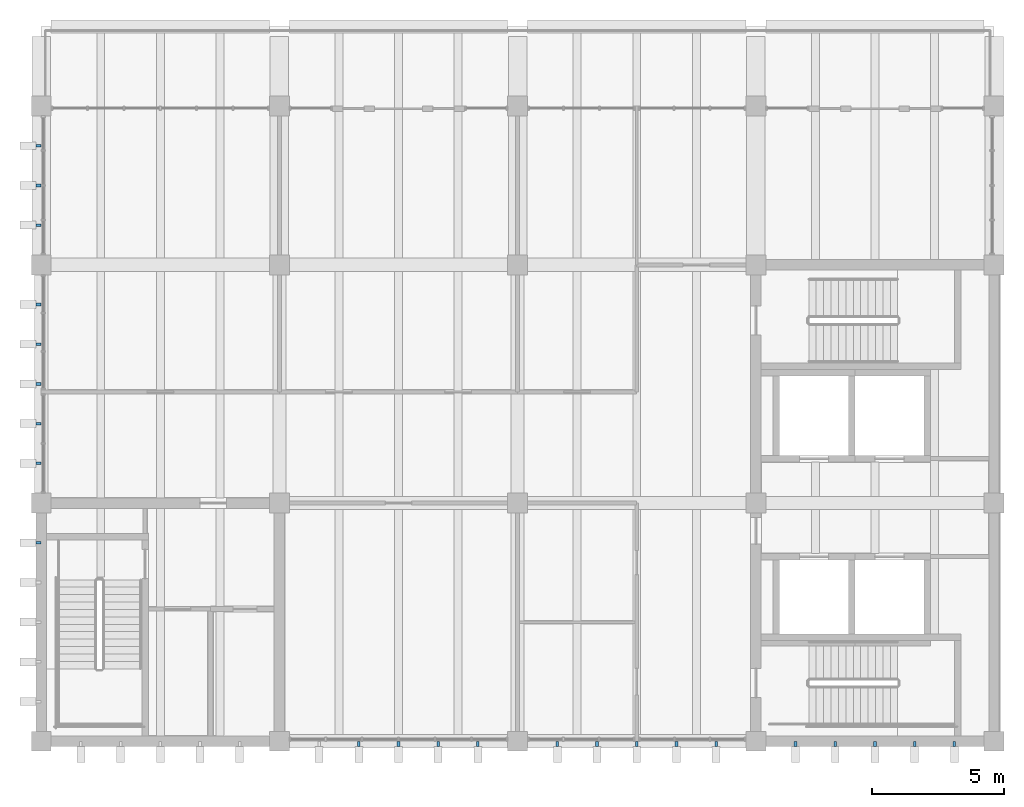
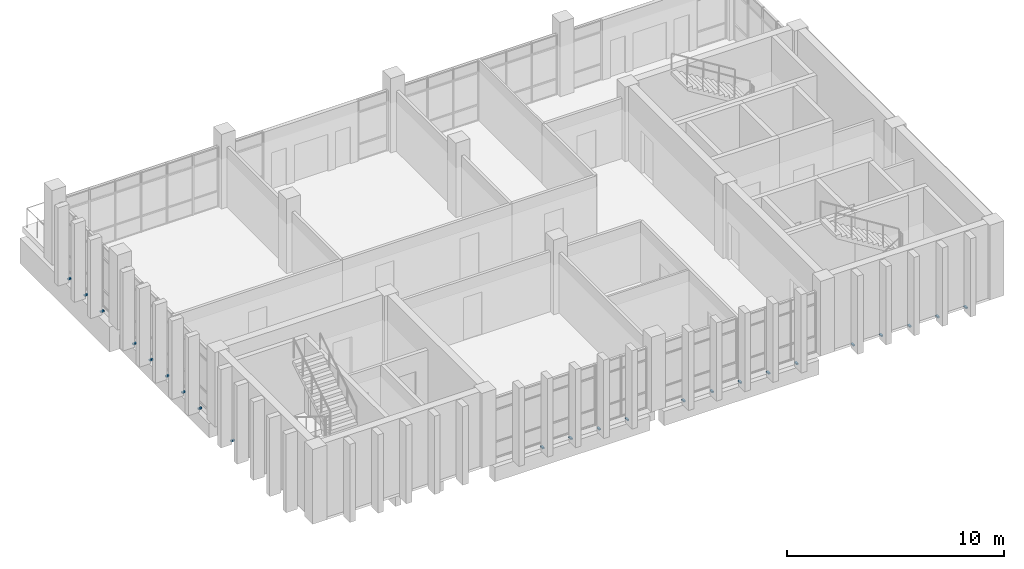
# One storey, part 11 of 15: 23 discrete accessories.
"""IFC4 building model written with IfcOpenShell, lengths in metres."""

import ifcopenshell
import ifcopenshell.guid

model = None  # the IFC model being written
_history = None  # IfcOwnerHistory: only IFC2X3 demands one
_inside = {}  # id of a spatial element -> (the spatial element, [elements in it])
_under = {}  # id of a project, library or spatial element -> (it, [spatial elements below it])
_declared = {}  # id of a project -> (the project, [libraries it declares])
_typed = {}  # id of a type object -> (the type object, [elements of that type])
_made_of = {}  # id of a material, layer set ... -> (it, [elements and type objects made of it])


def new_model(schema):
    """Start an empty IFC model of exactly this schema.

    Asked for "IFC4X3", IfcOpenShell would pick the latest addendum, in which some entities
    have other attributes; the version numbers below select the first issue.
    IFC2X3 requires an IfcOwnerHistory on every rooted entity: one is made here for all.
    """
    global model, _history
    if schema == "IFC4X3":
        model = ifcopenshell.file(schema_version=(4, 3, 0, 0))
    else:
        model = ifcopenshell.file(schema=schema)
    _inside.clear()
    _under.clear()
    _declared.clear()
    _typed.clear()
    _made_of.clear()
    _history = None
    if model.schema == "IFC2X3":
        org = make("IfcOrganization", Name="unknown")
        user = make(
            "IfcPersonAndOrganization",
            ThePerson=make("IfcPerson", FamilyName="unknown"),
            TheOrganization=org,
        )
        app = make(
            "IfcApplication",
            ApplicationDeveloper=org,
            Version="unknown",
            ApplicationFullName="unknown",
            ApplicationIdentifier="unknown",
        )
        _history = make(
            "IfcOwnerHistory",
            OwningUser=user,
            OwningApplication=app,
            ChangeAction="ADDED",
            CreationDate=0,
        )
    return model


def make(cls, **values):
    """One entity of the class cls with the attributes given. An attribute that is None is left unset."""
    return model.create_entity(
        cls, **{name: value for name, value in values.items() if value is not None}
    )


def rooted(cls, **values):
    """An entity with a GlobalId (a new one), such as an element, a storey or a relation."""
    return make(cls, GlobalId=ifcopenshell.guid.new(), OwnerHistory=_history, **values)


def si_unit(unit_type, name, prefix=None):
    """IfcSIUnit, for example si_unit("LENGTHUNIT", "METRE", prefix="MILLI")."""
    return make("IfcSIUnit", UnitType=unit_type, Prefix=prefix, Name=name)


def assignment(units):
    """IfcUnitAssignment: the units of a project."""
    return None if units is None else make("IfcUnitAssignment", Units=units)


def point(xyz):
    """IfcCartesianPoint."""
    return None if xyz is None else make("IfcCartesianPoint", Coordinates=xyz)


def direction(xyz):
    """IfcDirection."""
    return None if xyz is None else make("IfcDirection", DirectionRatios=xyz)


def frame(location, z_axis=None, x_axis=None):
    """IfcAxis2Placement3D, a coordinate frame: its origin and axes. An axis left out is left unset."""
    return make(
        "IfcAxis2Placement3D",
        Location=point(location),
        Axis=direction(z_axis),
        RefDirection=direction(x_axis),
    )


def origin():
    """The frame at (0, 0, 0) with its axes left unset."""
    return frame((0.0, 0.0, 0.0))


def place(relative_to, where):
    """IfcLocalPlacement: puts the frame where relative to a parent placement (None: the world)."""
    return make(
        "IfcLocalPlacement", PlacementRelTo=relative_to, RelativePlacement=where
    )


def context(
    kind, dimensions, precision=None, world=None, true_north=None, identifier=None
):
    """IfcGeometricRepresentationContext, for example the 3D "Model" context."""
    return make(
        "IfcGeometricRepresentationContext",
        ContextIdentifier=identifier,
        ContextType=kind,
        CoordinateSpaceDimension=dimensions,
        Precision=precision,
        WorldCoordinateSystem=world,
        TrueNorth=true_north,
    )


def subcontext(parent, identifier, kind, view, scale=None):
    """IfcGeometricRepresentationSubContext, for example "Body" below "Model"."""
    return make(
        "IfcGeometricRepresentationSubContext",
        ContextIdentifier=identifier,
        ContextType=kind,
        ParentContext=parent,
        TargetScale=scale,
        TargetView=view,
    )


def project(units=None, contexts=None):
    """IfcProject with its units and contexts."""
    return rooted(
        "IfcProject",
        Name="project",
        RepresentationContexts=contexts,
        UnitsInContext=assignment(units),
    )


def spatial(cls, under=None, at=None, **own):
    """A site, building, storey or space (cls), placed at a placement, below another one or the project."""
    s = rooted(cls, ObjectPlacement=at, **own)
    if under is not None:
        _under.setdefault(under.id(), (under, []))[1].append(s)
    return s


def polyline(points):
    """IfcPolyline through the points."""
    return make("IfcPolyline", Points=[point(p) for p in points])


def outline(outer, holes=None, kind="AREA"):
    """IfcArbitraryClosedProfileDef: a profile drawn as a closed curve; with holes, ...WithVoids."""
    if holes is None:
        return make("IfcArbitraryClosedProfileDef", ProfileType=kind, OuterCurve=outer)
    return make(
        "IfcArbitraryProfileDefWithVoids",
        ProfileType=kind,
        OuterCurve=outer,
        InnerCurves=holes,
    )


def extrude(swept, where, along, depth):
    """IfcExtrudedAreaSolid: the profile swept, set in the frame where, extruded along a direction by depth."""
    return make(
        "IfcExtrudedAreaSolid",
        SweptArea=swept,
        Position=where,
        ExtrudedDirection=direction(along),
        Depth=depth,
    )


def shape(context_of_items, identifier, shape_type, items):
    """IfcShapeRepresentation: the items that make up one representation, for example the "Body"."""
    return make(
        "IfcShapeRepresentation",
        ContextOfItems=context_of_items,
        RepresentationIdentifier=identifier,
        RepresentationType=shape_type,
        Items=items,
    )


def source(mapping_origin, context_of_items, identifier, shape_type, items):
    """IfcRepresentationMap: a shape defined once, which mapped items show again and again."""
    return make(
        "IfcRepresentationMap",
        MappingOrigin=mapping_origin,
        MappedRepresentation=shape(context_of_items, identifier, shape_type, items),
    )


def transform(
    local_origin,
    x_axis=None,
    y_axis=None,
    z_axis=None,
    scale=None,
    scale2=None,
    scale3=None,
    uniform=True,
):
    """IfcCartesianTransformationOperator3D, or its non-uniform kind. x_axis, y_axis, z_axis: its Axis1, 2, 3."""
    if uniform:
        return make(
            "IfcCartesianTransformationOperator3D",
            Axis1=direction(x_axis),
            Axis2=direction(y_axis),
            LocalOrigin=point(local_origin),
            Scale=scale,
            Axis3=direction(z_axis),
        )
    return make(
        "IfcCartesianTransformationOperator3DnonUniform",
        Axis1=direction(x_axis),
        Axis2=direction(y_axis),
        LocalOrigin=point(local_origin),
        Scale=scale,
        Axis3=direction(z_axis),
        Scale2=scale2,
        Scale3=scale3,
    )


def mapped(mapping_source, mapping_target):
    """IfcMappedItem: shows the shape of a source again, moved by a transform."""
    return make(
        "IfcMappedItem", MappingSource=mapping_source, MappingTarget=mapping_target
    )


def material(Name=None, Category=None):
    """IfcMaterial."""
    return make("IfcMaterial", Name=Name, Category=Category)


def made_of(thing, what):
    """Note that an element or type object is made of a material, layer set ...; save() writes the relation."""
    if what is not None:
        _made_of.setdefault(what.id(), (what, []))[1].append(thing)
    return thing


def type_object(cls, material=None, **own):
    """A type object (cls), such as IfcWallType, which elements share."""
    return made_of(rooted(cls, **own), material)


def element(
    cls,
    number,
    at=None,
    inside=None,
    cuts=None,
    type_object=None,
    material=None,
    context=None,
    identifier="Body",
    shape_type=None,
    held_by="IfcProductDefinitionShape",
    body=None,
    shapes=None,
    **own,
):
    """One element of the class cls, such as IfcWall. Its Tag is "e" and its number.

    at: its placement. inside: the storey or other place that contains it. cuts: it is an
    opening in that element (IfcRelVoidsElement). A single representation is given by context,
    identifier, shape_type and body (its items); several are given by shapes. held_by: the class
    of the entity that holds the representations. save() writes the other relations.
    """
    e = rooted(cls, Tag="e%d" % number, ObjectPlacement=at, **own)
    if body is not None:
        shapes = [shape(context, identifier, shape_type, body)]
    if shapes is not None:
        e.Representation = make(held_by, Representations=shapes)
    if inside is not None:
        _inside.setdefault(inside.id(), (inside, []))[1].append(e)
    if cuts is not None:
        rooted(
            "IfcRelVoidsElement", RelatingBuildingElement=cuts, RelatedOpeningElement=e
        )
    if type_object is not None:
        _typed.setdefault(type_object.id(), (type_object, []))[1].append(e)
    return made_of(e, material)


def aggregate(whole, parts):
    """IfcRelAggregates: a whole, such as a stair, and the parts it consists of."""
    return rooted("IfcRelAggregates", RelatingObject=whole, RelatedObjects=parts)


def save(model, path):
    """Write the relations noted so far, then the file.

    IfcRelAggregates (storeys below a building ...), IfcRelContainedInSpatialStructure (elements
    in a storey), IfcRelDefinesByType, IfcRelAssociatesMaterial and IfcRelDeclares: one each for
    every whole, place, type object, material and project.
    """
    for whole, parts in _under.values():
        aggregate(whole, parts)
    for where, things in _inside.values():
        rooted(
            "IfcRelContainedInSpatialStructure",
            RelatedElements=things,
            RelatingStructure=where,
        )
    for kind, things in _typed.values():
        rooted("IfcRelDefinesByType", RelatedObjects=things, RelatingType=kind)
    for what, things in _made_of.values():
        rooted("IfcRelAssociatesMaterial", RelatedObjects=things, RelatingMaterial=what)
    for by, libraries in _declared.values():
        rooted("IfcRelDeclares", RelatingContext=by, RelatedDefinitions=libraries)
    model.write(path)


model = new_model("IFC4")

# Units and contexts
model_context = context("Model", 3, precision=1e-05, world=origin(), true_north=direction((0.0, 1.0)))
body_context = subcontext(model_context, "Body", "Model", "MODEL_VIEW")
ifc_project = project(units=[si_unit("LENGTHUNIT", "METRE"), si_unit("AREAUNIT", "SQUARE_METRE"), si_unit("VOLUMEUNIT", "CUBIC_METRE"), si_unit("PLANEANGLEUNIT", "RADIAN"), si_unit("MASSUNIT", "GRAM", prefix="KILO")], contexts=[model_context])

# Site, building, storey
site_placement = place(None, origin())
site = spatial("IfcSite", under=ifc_project, at=site_placement, CompositionType="ELEMENT")
building_placement = place(site_placement, origin())
building = spatial("IfcBuilding", under=site, at=building_placement, Name="Merrow Basin Faculty of Sciences", CompositionType="ELEMENT")
storey_placement = place(building_placement, frame((0.0, 0.0, 31.5)))
storey = spatial("IfcBuildingStorey", under=building, at=storey_placement, Name="L07", CompositionType="ELEMENT", Elevation=31.5)

# Discrete accessories
ifc_material = material(Name="Steel ASTM A572 Gr 50", Category="steel")
discrete_accessory_type = type_object("IfcDiscreteAccessoryType", Name="Steel T bracket 100 x 80 fin", PredefinedType="BRACKET", material=ifc_material)
shared_shape = source(origin(), body_context, "Body", "SweptSolid", [
    extrude(outline(polyline([(0.0, 0.0), (0.10009765625, 0.0), (0.10009765625, 0.080078125), (0.0, 0.080078125), (0.0, 0.0)])), origin(), (0.0, 0.0, 1.0), 0.199951171875),
])
for number, where, z_axis, x_axis, name in (
    (1, (29.949951171875, 142.0, -0.199951171875), (0.0, -1.0, 0.0), (1.0, 0.0, 0.0), "Fin bracket SL07"),
    (2, (31.449951171875, 142.0, -0.199951171875), (0.0, -1.0, 0.0), (1.0, 0.0, 0.0), "Fin bracket SL07"),
    (3, (32.949951171875, 142.0, -0.199951171875), (0.0, -1.0, 0.0), (1.0, 0.0, 0.0), "Fin bracket SL07"),
    (4, (34.449951171875, 142.0, -0.199951171875), (0.0, -1.0, 0.0), (1.0, 0.0, 0.0), "Fin bracket SL07"),
    (5, (37.449951171875, 142.0, -0.199951171875), (0.0, -1.0, 0.0), (1.0, 0.0, 0.0), "Fin bracket SL07"),
    (6, (38.949951171875, 142.0, -0.199951171875), (0.0, -1.0, 0.0), (1.0, 0.0, 0.0), "Fin bracket SL07"),
    (7, (40.449951171875, 142.0, -0.199951171875), (0.0, -1.0, 0.0), (1.0, 0.0, 0.0), "Fin bracket SL07"),
    (8, (41.949951171875, 142.0, -0.199951171875), (0.0, -1.0, 0.0), (1.0, 0.0, 0.0), "Fin bracket SL07"),
    (9, (43.449951171875, 142.0, -0.199951171875), (0.0, -1.0, 0.0), (1.0, 0.0, 0.0), "Fin bracket SL07"),
    (10, (46.449951171875, 142.0, -0.199951171875), (0.0, -1.0, 0.0), (1.0, 0.0, 0.0), "Fin bracket SL07"),
    (11, (47.949951171875, 142.0, -0.199951171875), (0.0, -1.0, 0.0), (1.0, 0.0, 0.0), "Fin bracket SL07"),
    (12, (49.449951171875, 142.0, -0.199951171875), (0.0, -1.0, 0.0), (1.0, 0.0, 0.0), "Fin bracket SL07"),
    (13, (50.949951171875, 142.0, -0.199951171875), (0.0, -1.0, 0.0), (1.0, 0.0, 0.0), "Fin bracket SL07"),
    (14, (52.449951171875, 142.0, -0.199951171875), (0.0, -1.0, 0.0), (1.0, 0.0, 0.0), "Fin bracket SL07"),
    (15, (18.0, 149.550048828125, -0.199951171875), (-1.0, 0.0, 0.0), (0.0, -1.0, 0.0), "Fin bracket WL07"),
    (16, (18.0, 152.550048828125, -0.199951171875), (-1.0, 0.0, 0.0), (0.0, -1.0, 0.0), "Fin bracket WL07"),
    (17, (18.0, 154.050048828125, -0.199951171875), (-1.0, 0.0, 0.0), (0.0, -1.0, 0.0), "Fin bracket WL07"),
    (18, (18.0, 155.550048828125, -0.199951171875), (-1.0, 0.0, 0.0), (0.0, -1.0, 0.0), "Fin bracket WL07"),
    (19, (18.0, 157.050048828125, -0.199951171875), (-1.0, 0.0, 0.0), (0.0, -1.0, 0.0), "Fin bracket WL07"),
    (20, (18.0, 158.550048828125, -0.199951171875), (-1.0, 0.0, 0.0), (0.0, -1.0, 0.0), "Fin bracket WL07"),
    (21, (18.0, 161.550048828125, -0.199951171875), (-1.0, 0.0, 0.0), (0.0, -1.0, 0.0), "Fin bracket WL07"),
    (22, (18.0, 163.050048828125, -0.199951171875), (-1.0, 0.0, 0.0), (0.0, -1.0, 0.0), "Fin bracket WL07"),
    (23, (18.0, 164.550048828125, -0.199951171875), (-1.0, 0.0, 0.0), (0.0, -1.0, 0.0), "Fin bracket WL07"),
):
    element("IfcDiscreteAccessory", number, at=place(storey_placement, frame(where, z_axis=z_axis, x_axis=x_axis)), inside=storey, type_object=discrete_accessory_type, Name=name, PredefinedType="BRACKET", context=body_context, shape_type="MappedRepresentation", body=[
        mapped(shared_shape, transform((0.0, 0.0, 0.0), scale=1.0)),
    ])

save(model, "model.ifc")
